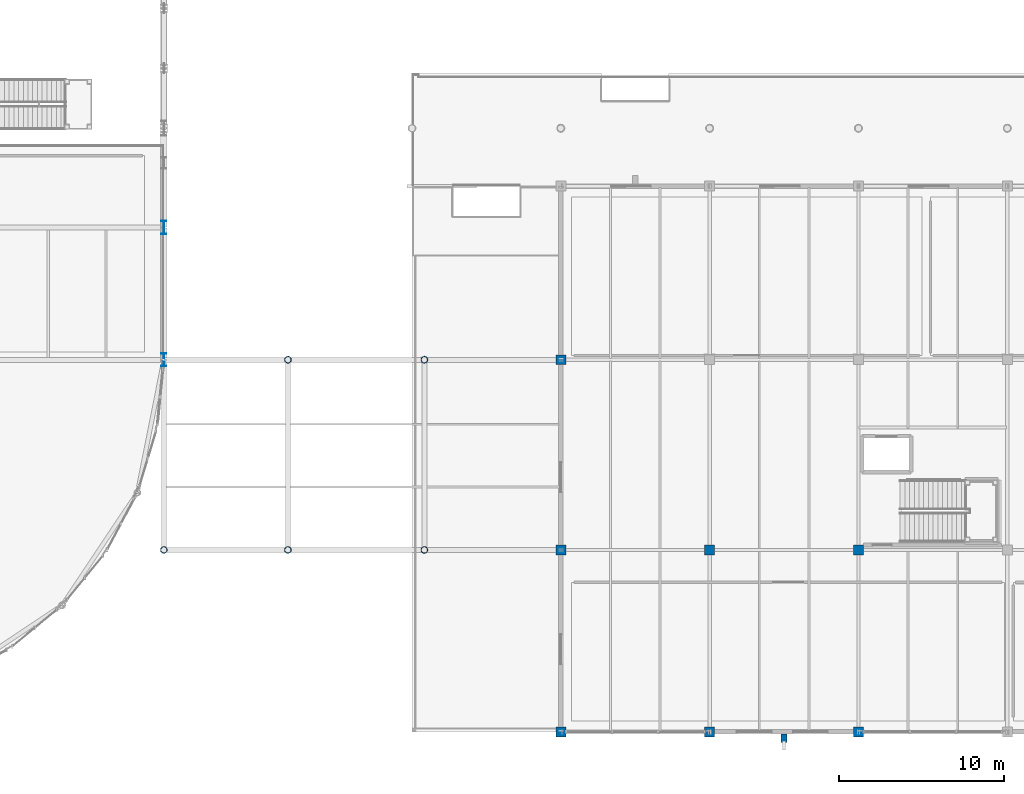
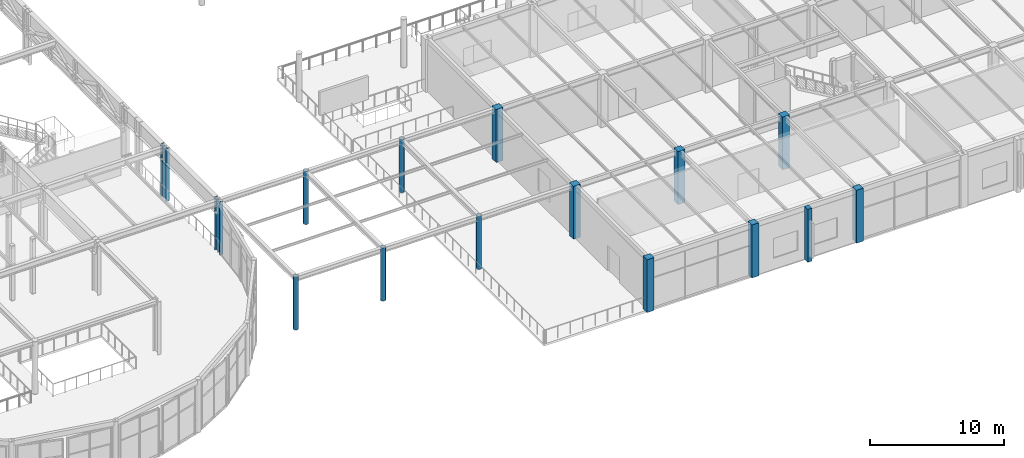
# One storey, part 15 of 143: 15 columns.
"""IFC4 building model written with IfcOpenShell, lengths in metres."""

from ifc_helpers import new_model, si_unit, direction, frame, origin, origin_2d, place, context, subcontext, project, spatial, rectangle, hollow_circle, i_section, extrude, material, material_profile, profile_set, type_object, element, save


model = new_model("IFC4")

# Units and contexts
model_context = context("Model", 3, precision=1e-05, world=origin(), true_north=direction((0.0, 1.0)))
body_context = subcontext(model_context, "Body", "Model", "MODEL_VIEW")
ifc_project = project(units=[si_unit("LENGTHUNIT", "METRE"), si_unit("AREAUNIT", "SQUARE_METRE"), si_unit("VOLUMEUNIT", "CUBIC_METRE"), si_unit("PLANEANGLEUNIT", "RADIAN"), si_unit("MASSUNIT", "GRAM", prefix="KILO")], contexts=[model_context])

# Site, building, storey
site_placement = place(None, origin())
site = spatial("IfcSite", under=ifc_project, at=site_placement, CompositionType="ELEMENT")
building_placement = place(site_placement, origin())
building = spatial("IfcBuilding", under=site, at=building_placement, Name="Marlcrest Central Station", CompositionType="ELEMENT")
storey_placement = place(building_placement, frame((0.0, 0.0, 4.800048828125)))
storey = spatial("IfcBuildingStorey", under=building, at=storey_placement, Name="L01", CompositionType="ELEMENT", Elevation=4.800048828125)

# Columns
ifc_material_1 = material(Name="Precast concrete C40/50", Category="concrete")
ifc_material_profile_1 = material_profile(ifc_material_1, rectangle(XDim=0.35009765625, YDim=0.5, at=origin_2d()), Name="PIL 350x500")
ifc_profile_set_1 = profile_set([ifc_material_profile_1], Name="Precast concrete C40/50")
column_type_1 = type_object("IfcColumnType", Name="PL-01", PredefinedType="PILASTER", material=ifc_profile_set_1)
column_placement = place(storey_placement, frame((166.5, -0.3798828125, 0.0), z_axis=(0.0, 0.0, 1.0), x_axis=(1.0, 0.0, 0.0)))
element("IfcColumn", 1, at=column_placement, inside=storey, type_object=column_type_1, Name="col-PL-01-L01-0329", PredefinedType="PILASTER", context=body_context, shape_type="SweptSolid", body=[
    extrude(rectangle(XDim=0.35009765625, YDim=0.5, at=origin_2d()), origin(), (0.0, 0.0, 1.0), 4.81494140625),
])
ifc_material_2 = material(Name="Concrete C50/60", Category="concrete")
ifc_material_profile_2 = material_profile(ifc_material_2, rectangle(XDim=0.60009765625, YDim=0.60009765625, at=origin_2d()), Name="RC 600x600")
ifc_profile_set_2 = profile_set([ifc_material_profile_2], Name="Concrete C50/60")
column_type_2 = type_object("IfcColumnType", Name="RC-04", PredefinedType="COLUMN", material=ifc_profile_set_2)
for number, where, z_axis, x_axis, name in (
    (2, (153.0, 0.0, 0.0), (0.0, 0.0, 1.0), (1.0, 0.0, 0.0), "col-RC-04-L01-0296"),
    (3, (153.0, 11.0, 0.0), (0.0, 0.0, 1.0), (1.0, 0.0, 0.0), "col-RC-04-L01-0297"),
    (4, (153.0, 22.5, 0.0), (0.0, 0.0, 1.0), (1.0, 0.0, 0.0), "col-RC-04-L01-0298"),
    (5, (162.0, 0.0, 0.0), (0.0, 0.0, 1.0), (1.0, 0.0, 0.0), "col-RC-04-L01-0300"),
    (6, (162.0, 11.0, 0.0), (0.0, 0.0, 1.0), (1.0, 0.0, 0.0), "col-RC-04-L01-0301"),
    (7, (171.0, 0.0, 0.0), (0.0, 0.0, 1.0), (1.0, 0.0, 0.0), "col-RC-04-L01-0304"),
    (8, (171.0, 11.0, 0.0), (0.0, 0.0, 1.0), (1.0, 0.0, 0.0), "col-RC-04-L01-0305"),
):
    element("IfcColumn", number, at=place(storey_placement, frame(where, z_axis=z_axis, x_axis=x_axis)), inside=storey, type_object=column_type_2, Name=name, PredefinedType="COLUMN", context=body_context, shape_type="SweptSolid", body=[
        extrude(rectangle(XDim=0.60009765625, YDim=0.60009765625, at=origin_2d()), origin(), (0.0, 0.0, 1.0), 4.81494140625),
    ])
ifc_material_3 = material(Name="Steel S355", Category="steel")
ifc_material_profile_3 = material_profile(ifc_material_3, i_section(OverallWidth=0.300048828125, OverallDepth=0.800048828125, WebThickness=0.017578125, FlangeThickness=0.032958984375, FilletRadius=0.030029296875, at=origin_2d()), Name="HEB 800")
ifc_profile_set_3 = profile_set([ifc_material_profile_3], Name="Steel S355")
column_type_3 = type_object("IfcColumnType", Name="SC-08", PredefinedType="COLUMN", material=ifc_profile_set_3)
for number, where, z_axis, x_axis, name in (
    (9, (129.0, 22.5, 0.0), (0.0, 0.0, 1.0), (1.0, 0.0, 0.0), "col-SC-08-L01-0676"),
    (10, (129.0, 30.5, 0.0), (0.0, 0.0, 1.0), (1.0, 0.0, 0.0), "col-SC-08-L01-0694"),
):
    element("IfcColumn", number, at=place(storey_placement, frame(where, z_axis=z_axis, x_axis=x_axis)), inside=storey, type_object=column_type_3, Name=name, PredefinedType="COLUMN", context=body_context, shape_type="SweptSolid", body=[
        extrude(i_section(OverallWidth=0.300048828125, OverallDepth=0.800048828125, WebThickness=0.017578125, FlangeThickness=0.032958984375, FilletRadius=0.030029296875, at=origin_2d()), origin(), (0.0, 0.0, 1.0), 4.81494140625),
    ])
ifc_material_profile_4 = material_profile(ifc_material_3, hollow_circle(Radius=0.203125, WallThickness=0.02001953125, at=origin_2d()), Name="CHS 406.4x20")
ifc_profile_set_4 = profile_set([ifc_material_profile_4], Name="Steel S355")
column_type_4 = type_object("IfcColumnType", Name="SC-10", PredefinedType="COLUMN", material=ifc_profile_set_4)
for number, where, z_axis, x_axis, name in (
    (11, (129.0, 11.0, 0.0), (0.0, 0.0, 1.0), (1.0, 0.0, 0.0), "col-SC-10-L01-0900"),
    (12, (136.5, 11.0, 0.0), (0.0, 0.0, 1.0), (1.0, 0.0, 0.0), "col-SC-10-L01-0902"),
    (13, (136.5, 22.5, 0.0), (0.0, 0.0, 1.0), (1.0, 0.0, 0.0), "col-SC-10-L01-0904"),
    (14, (144.75, 11.0, 0.0), (0.0, 0.0, 1.0), (1.0, 0.0, 0.0), "col-SC-10-L01-0906"),
    (15, (144.75, 22.5, 0.0), (0.0, 0.0, 1.0), (1.0, 0.0, 0.0), "col-SC-10-L01-0908"),
):
    element("IfcColumn", number, at=place(storey_placement, frame(where, z_axis=z_axis, x_axis=x_axis)), inside=storey, type_object=column_type_4, Name=name, PredefinedType="COLUMN", context=body_context, shape_type="SweptSolid", body=[
        extrude(hollow_circle(Radius=0.203125, WallThickness=0.02001953125, at=origin_2d()), origin(), (0.0, 0.0, 1.0), 4.81494140625),
    ])

save(model, "model.ifc")
